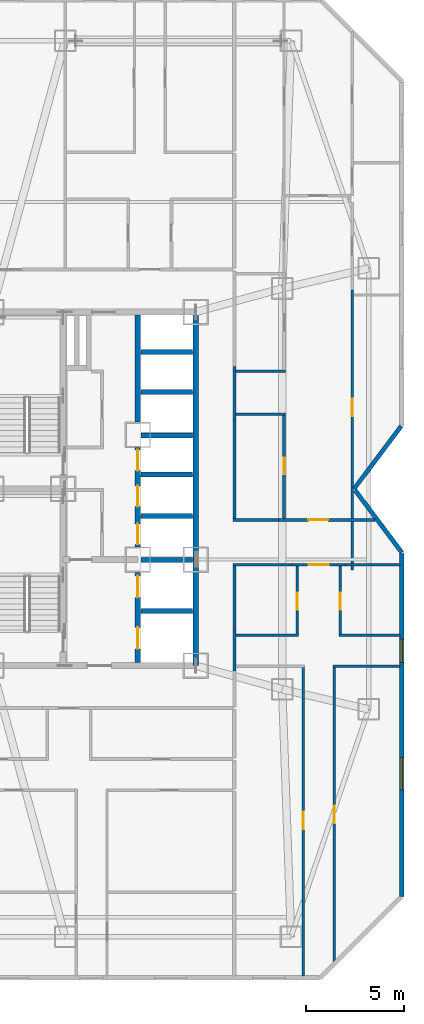
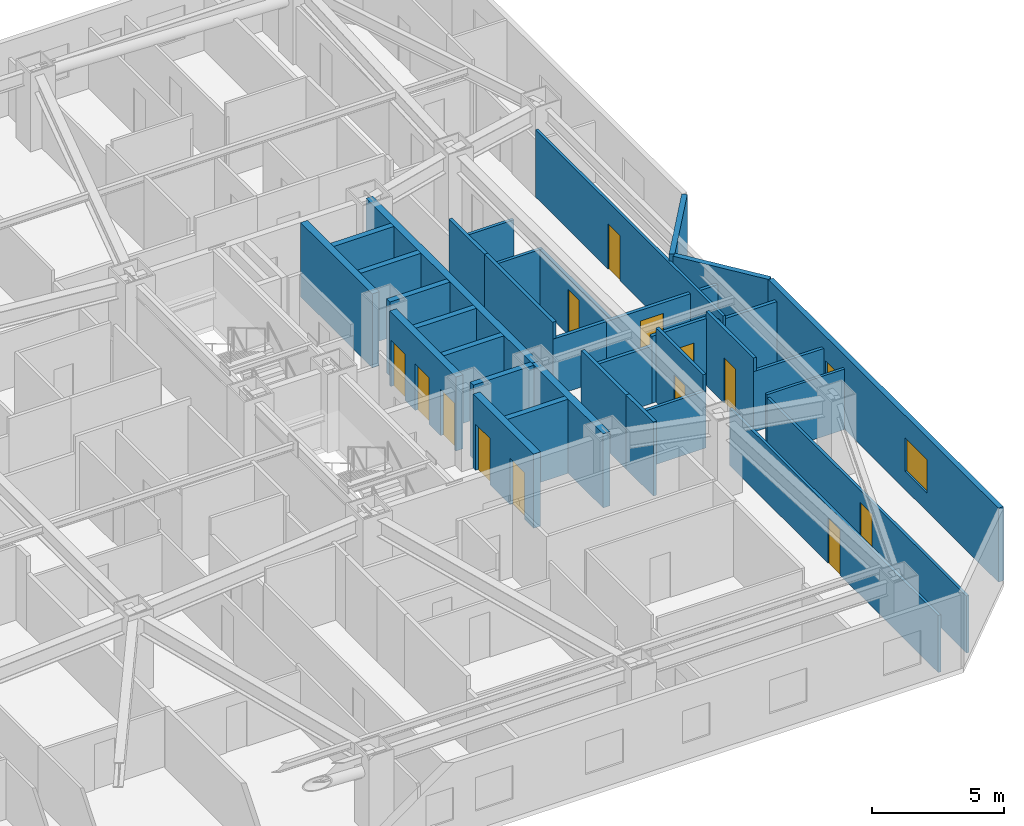
# One storey, part 14 of 18: 35 walls, 13 doors, 2 windows, 15 openings.
"""IFC4 building model written with IfcOpenShell, lengths in metres."""

from ifc_helpers import new_model, si_unit, direction, frame, frame_2d, origin, place, context, subcontext, project, spatial, rectangle, extrude, material, layer, layer_set, type_object, element, fill, save


model = new_model("IFC4")

# Units and contexts
model_context = context("Model", 3, precision=1e-05, world=origin(), true_north=direction((0.0, 1.0)))
body_context = subcontext(model_context, "Body", "Model", "MODEL_VIEW")
ifc_project = project(units=[si_unit("LENGTHUNIT", "METRE"), si_unit("AREAUNIT", "SQUARE_METRE"), si_unit("VOLUMEUNIT", "CUBIC_METRE"), si_unit("PLANEANGLEUNIT", "RADIAN"), si_unit("MASSUNIT", "GRAM", prefix="KILO")], contexts=[model_context])

# Site, building, storey
site_placement = place(None, origin())
site = spatial("IfcSite", under=ifc_project, at=site_placement, CompositionType="ELEMENT")
building_placement = place(site_placement, origin())
building = spatial("IfcBuilding", under=site, at=building_placement, Name="Khamvora Tower", CompositionType="ELEMENT")
storey_placement = place(building_placement, frame((0.0, 0.0, 69.800048828125)))
storey = spatial("IfcBuildingStorey", under=building, at=storey_placement, Name="L17", CompositionType="ELEMENT", Elevation=69.800048828125)

# Walls
ifc_material_1 = material(Name="Concrete C50/60", Category="concrete")
ifc_layer_1 = layer(ifc_material_1, 0.300048828125)
ifc_layer_set_1 = layer_set([ifc_layer_1], Name="Concrete C50/60")
wall_type_1 = type_object("IfcWallType", Name="WAL-CORE-300", PredefinedType="SHEAR", material=ifc_layer_set_1)
wall_1_placement = place(storey_placement, frame((39.39990234375, 19.0, 0.0), z_axis=(0.0, 0.0, 1.0), x_axis=(0.0, 1.0, 0.0)))
element("IfcWall", 1, at=wall_1_placement, inside=storey, type_object=wall_type_1, Name="L17 central core east south wall", PredefinedType="SHEAR", context=body_context, shape_type="SweptSolid", body=[
    extrude(rectangle(XDim=5.39990234375, YDim=0.300048828125, at=frame_2d((2.699951171875, 0.0))), origin(), (0.0, 0.0, 1.0), 3.429931640625),
])
wall_2_placement = place(storey_placement, frame((39.39990234375, 24.39990234375, 0.0), z_axis=(0.0, 0.0, 1.0), x_axis=(0.0, 1.0, 0.0)))
element("IfcWall", 2, at=wall_2_placement, inside=storey, type_object=wall_type_1, Name="L17 central core east north wall", PredefinedType="SHEAR", context=body_context, shape_type="SweptSolid", body=[
    extrude(rectangle(XDim=12.60009765625, YDim=0.300048828125, at=frame_2d((6.300048828125, 0.0))), origin(), (0.0, 0.0, 1.0), 3.429931640625),
])

# Wall, openings, doors
wall_3_placement = place(storey_placement, frame((36.449951171875, 19.154052734375, 0.0), z_axis=(0.0, 0.0, 1.0), x_axis=(0.0, 1.0, 0.0)))
wall_3 = element("IfcWall", 3, at=wall_3_placement, inside=storey, type_object=wall_type_1, Name="L17 central core lift bank south wall", PredefinedType="SHEAR", context=body_context, shape_type="SweptSolid", body=[
    extrude(rectangle(XDim=4.595947265625, YDim=0.300048828125, at=frame_2d((2.2978515625, 0.0))), origin(), (0.0, 0.0, 1.0), 3.429931640625),
])
opening_1_placement = place(wall_3_placement, frame((0.696044921875, 0.0, 0.0)))
opening_1 = element("IfcOpeningElement", 4, at=opening_1_placement, cuts=wall_3, Name="Opening LD-FFL", PredefinedType="OPENING", context=body_context, shape_type="SweptSolid", body=[
    extrude(rectangle(XDim=1.10009765625, YDim=2.14990234375, at=frame_2d((0.550048828125, 1.074951171875))), frame((0.0, 0.159912109375, 0.0), z_axis=(0.0, -1.0, 0.0), x_axis=(1.0, 0.0, 0.0)), (0.0, 0.0, 1.0), 0.320068359375),
])
opening_2_placement = place(wall_3_placement, frame((3.31591796875, 0.0, 0.0)))
opening_2 = element("IfcOpeningElement", 5, at=opening_2_placement, cuts=wall_3, Name="Opening LD-FFL", PredefinedType="OPENING", context=body_context, shape_type="SweptSolid", body=[
    extrude(rectangle(XDim=1.10009765625, YDim=2.14990234375, at=frame_2d((0.550048828125, 1.074951171875))), frame((0.0, 0.159912109375, 0.0), z_axis=(0.0, -1.0, 0.0), x_axis=(1.0, 0.0, 0.0)), (0.0, 0.0, 1.0), 0.320068359375),
])
ifc_material_2 = material(Name="Powder-Coated Steel and Hardwood Leaf", Category="steel")
door_type_1 = type_object("IfcDoorType", Name="DOR-LIFT-1100", OperationType="SLIDING_TO_LEFT", PredefinedType="DOOR", material=ifc_material_2)
door_1_placement = place(opening_1_placement, origin())
door_1 = element("IfcDoor", 6, at=door_1_placement, inside=storey, type_object=door_type_1, Name="L17 lift landing sliding door FFL-01", OperationType="SLIDING_TO_LEFT", OverallHeight=2.14990234375, OverallWidth=1.10009765625, PredefinedType="DOOR", context=body_context, shape_type="SweptSolid", body=[
    extrude(rectangle(XDim=1.10009765625, YDim=2.14990234375, at=frame_2d((0.550048828125, 1.074951171875))), frame((0.0, 0.02490234375, 0.0), z_axis=(0.0, -1.0, 0.0), x_axis=(1.0, 0.0, 0.0)), (0.0, 0.0, 1.0), 0.050048828125),
])
fill(opening_1, door_1)
door_2_placement = place(opening_2_placement, origin())
door_2 = element("IfcDoor", 7, at=door_2_placement, inside=storey, type_object=door_type_1, Name="L17 lift landing sliding door FFL-02", OperationType="SLIDING_TO_LEFT", OverallHeight=2.14990234375, OverallWidth=1.10009765625, PredefinedType="DOOR", context=body_context, shape_type="SweptSolid", body=[
    extrude(rectangle(XDim=1.10009765625, YDim=2.14990234375, at=frame_2d((0.550048828125, 1.074951171875))), frame((0.0, 0.02490234375, 0.0), z_axis=(0.0, -1.0, 0.0), x_axis=(1.0, 0.0, 0.0)), (0.0, 0.0, 1.0), 0.050048828125),
])
fill(opening_2, door_2)

wall_4_placement = place(storey_placement, frame((36.449951171875, 25.050048828125, 0.0), z_axis=(0.0, 0.0, 1.0), x_axis=(0.0, 1.0, 0.0)))
wall_4 = element("IfcWall", 8, at=wall_4_placement, inside=storey, type_object=wall_type_1, Name="L17 central core lift bank central wall", PredefinedType="SHEAR", context=body_context, shape_type="SweptSolid", body=[
    extrude(rectangle(XDim=5.050048828125, YDim=0.300048828125, at=frame_2d((2.52490234375, 0.0))), origin(), (0.0, 0.0, 1.0), 3.429931640625),
])
opening_3_placement = place(wall_4_placement, frame((0.1201171875, 0.0, 0.0)))
opening_3 = element("IfcOpeningElement", 9, at=opening_3_placement, cuts=wall_4, Name="Opening LD-PL", PredefinedType="OPENING", context=body_context, shape_type="SweptSolid", body=[
    extrude(rectangle(XDim=1.050048828125, YDim=2.14990234375, at=frame_2d((0.52490234375, 1.074951171875))), frame((0.0, 0.159912109375, 0.0), z_axis=(0.0, -1.0, 0.0), x_axis=(1.0, 0.0, 0.0)), (0.0, 0.0, 1.0), 0.320068359375),
])
opening_4_placement = place(wall_4_placement, frame((2.044921875, 0.0, 0.0)))
opening_4 = element("IfcOpeningElement", 10, at=opening_4_placement, cuts=wall_4, Name="Opening LD-PL", PredefinedType="OPENING", context=body_context, shape_type="SweptSolid", body=[
    extrude(rectangle(XDim=1.050048828125, YDim=2.14990234375, at=frame_2d((0.52490234375, 1.074951171875))), frame((0.0, 0.159912109375, 0.0), z_axis=(0.0, -1.0, 0.0), x_axis=(1.0, 0.0, 0.0)), (0.0, 0.0, 1.0), 0.320068359375),
])
opening_5_placement = place(wall_4_placement, frame((3.8798828125, 0.0, 0.0)))
opening_5 = element("IfcOpeningElement", 11, at=opening_5_placement, cuts=wall_4, Name="Opening LD-PL", PredefinedType="OPENING", context=body_context, shape_type="SweptSolid", body=[
    extrude(rectangle(XDim=1.050048828125, YDim=2.14990234375, at=frame_2d((0.52490234375, 1.074951171875))), frame((0.0, 0.159912109375, 0.0), z_axis=(0.0, -1.0, 0.0), x_axis=(1.0, 0.0, 0.0)), (0.0, 0.0, 1.0), 0.320068359375),
])
door_type_2 = type_object("IfcDoorType", Name="DOR-LIFT-1050", OperationType="SLIDING_TO_LEFT", PredefinedType="DOOR", material=ifc_material_2)
door_3_placement = place(opening_3_placement, origin())
door_3 = element("IfcDoor", 12, at=door_3_placement, inside=storey, type_object=door_type_2, Name="L17 lift landing sliding door PL-01", OperationType="SLIDING_TO_LEFT", OverallHeight=2.14990234375, OverallWidth=1.050048828125, PredefinedType="DOOR", context=body_context, shape_type="SweptSolid", body=[
    extrude(rectangle(XDim=1.050048828125, YDim=2.14990234375, at=frame_2d((0.52490234375, 1.074951171875))), frame((0.0, 0.02490234375, 0.0), z_axis=(0.0, -1.0, 0.0), x_axis=(1.0, 0.0, 0.0)), (0.0, 0.0, 1.0), 0.050048828125),
])
fill(opening_3, door_3)
door_4_placement = place(opening_4_placement, origin())
door_4 = element("IfcDoor", 13, at=door_4_placement, inside=storey, type_object=door_type_2, Name="L17 lift landing sliding door PL-02", OperationType="SLIDING_TO_LEFT", OverallHeight=2.14990234375, OverallWidth=1.050048828125, PredefinedType="DOOR", context=body_context, shape_type="SweptSolid", body=[
    extrude(rectangle(XDim=1.050048828125, YDim=2.14990234375, at=frame_2d((0.52490234375, 1.074951171875))), frame((0.0, 0.02490234375, 0.0), z_axis=(0.0, -1.0, 0.0), x_axis=(1.0, 0.0, 0.0)), (0.0, 0.0, 1.0), 0.050048828125),
])
fill(opening_4, door_4)
door_5_placement = place(opening_5_placement, origin())
door_5 = element("IfcDoor", 14, at=door_5_placement, inside=storey, type_object=door_type_2, Name="L17 lift landing sliding door PL-03", OperationType="SLIDING_TO_LEFT", OverallHeight=2.14990234375, OverallWidth=1.050048828125, PredefinedType="DOOR", context=body_context, shape_type="SweptSolid", body=[
    extrude(rectangle(XDim=1.050048828125, YDim=2.14990234375, at=frame_2d((0.52490234375, 1.074951171875))), frame((0.0, 0.02490234375, 0.0), z_axis=(0.0, -1.0, 0.0), x_axis=(1.0, 0.0, 0.0)), (0.0, 0.0, 1.0), 0.050048828125),
])
fill(opening_5, door_5)

# Wall
wall_5_placement = place(storey_placement, frame((36.449951171875, 31.39990234375, 0.0), z_axis=(0.0, 0.0, 1.0), x_axis=(0.0, 1.0, 0.0)))
element("IfcWall", 15, at=wall_5_placement, inside=storey, type_object=wall_type_1, Name="L17 central core lift bank north wall", PredefinedType="SHEAR", context=body_context, shape_type="SweptSolid", body=[
    extrude(rectangle(XDim=5.446044921875, YDim=0.300048828125, at=frame_2d((2.72314453125, 0.0))), origin(), (0.0, 0.0, 1.0), 3.429931640625),
])

# Wall, opening, door
ifc_material_3 = material(Name="Fire-Rated Drywall and Steel Stud", Category="steel")
ifc_layer_2 = layer(ifc_material_3, 0.14990234375)
ifc_layer_set_2 = layer_set([ifc_layer_2], Name="Fire-Rated Drywall and Steel Stud")
wall_type_2 = type_object("IfcWallType", Name="WAL-CORR-150", PredefinedType="STANDARD", material=ifc_layer_set_2)
wall_6_placement = place(storey_placement, frame((47.009033203125, 24.135009765625, 0.0), z_axis=(0.0, 0.0, 1.0), x_axis=(-1.0, 0.0, 0.0)))
wall_6 = element("IfcWall", 16, at=wall_6_placement, inside=storey, type_object=wall_type_2, Name="L17 interior partition wall 032", PredefinedType="STANDARD", context=body_context, shape_type="SweptSolid", body=[
    extrude(rectangle(XDim=2.697998046875, YDim=0.14990234375, at=frame_2d((1.34912109375, 0.0))), origin(), (0.0, 0.0, 1.0), 3.10693359375),
])
opening_6_placement = place(wall_6_placement, frame((0.84912109375, 0.0, 0.0)))
opening_6 = element("IfcOpeningElement", 17, at=opening_6_placement, cuts=wall_6, Name="Opening D-U1", PredefinedType="OPENING", context=body_context, shape_type="SweptSolid", body=[
    extrude(rectangle(XDim=1.0, YDim=2.14990234375, at=frame_2d((0.5, 1.074951171875))), frame((0.0, 0.0849609375, 0.0), z_axis=(0.0, -1.0, 0.0), x_axis=(1.0, 0.0, 0.0)), (0.0, 0.0, 1.0), 0.169921875),
])
door_type_3 = type_object("IfcDoorType", Name="DOR-UNIT-1000", OperationType="NOTDEFINED", PredefinedType="DOOR", material=ifc_material_2)
door_6_placement = place(opening_6_placement, origin())
door_6 = element("IfcDoor", 18, at=door_6_placement, inside=storey, type_object=door_type_3, Name="L17 interior door COR-17EAH", OperationType="SINGLE_SWING_LEFT", OverallHeight=2.14990234375, OverallWidth=1.0, PredefinedType="DOOR", context=body_context, shape_type="SweptSolid", body=[
    extrude(rectangle(XDim=1.0, YDim=2.14990234375, at=frame_2d((0.5, 1.074951171875))), frame((0.0, 0.02490234375, 0.0), z_axis=(0.0, -1.0, 0.0), x_axis=(1.0, 0.0, 0.0)), (0.0, 0.0, 1.0), 0.050048828125),
])
fill(opening_6, door_6)

# Walls
wall_7_placement = place(storey_placement, frame((41.364990234375, 20.803955078125, 0.0), z_axis=(0.0, 0.0, 1.0), x_axis=(0.0, -1.0, 0.0)))
element("IfcWall", 19, at=wall_7_placement, inside=storey, type_object=wall_type_2, Name="L17 interior partition wall 033", PredefinedType="STANDARD", context=body_context, shape_type="SweptSolid", body=[
    extrude(rectangle(XDim=2.077880859375, YDim=0.14990234375, at=frame_2d((1.0390625, 0.0))), origin(), (0.0, 0.0, 1.0), 3.429931640625),
])
wall_8_placement = place(storey_placement, frame((44.31103515625, 24.135009765625, 0.0), z_axis=(0.0, 0.0, 1.0), x_axis=(-1.0, 0.0, 0.0)))
element("IfcWall", 20, at=wall_8_placement, inside=storey, type_object=wall_type_2, Name="L17 interior partition wall 034", PredefinedType="STANDARD", context=body_context, shape_type="SweptSolid", body=[
    extrude(rectangle(XDim=3.010986328125, YDim=0.14990234375, at=frame_2d((1.50537109375, 0.0))), origin(), (0.0, 0.0, 1.0), 2.64697265625),
])
wall_9_placement = place(storey_placement, frame((41.364990234375, 24.197998046875, 0.0), z_axis=(0.0, 0.0, 1.0), x_axis=(0.0, -1.0, 0.0)))
element("IfcWall", 21, at=wall_9_placement, inside=storey, type_object=wall_type_2, Name="L17 interior partition wall 035", PredefinedType="STANDARD", context=body_context, shape_type="SweptSolid", body=[
    extrude(rectangle(XDim=3.39404296875, YDim=0.14990234375, at=frame_2d((1.697021484375, 0.0))), origin(), (0.0, 0.0, 1.0), 3.429931640625),
])
wall_10_placement = place(storey_placement, frame((49.7880859375, 24.135009765625, 0.0), z_axis=(0.0, 0.0, 1.0), x_axis=(-1.0, 0.0, 0.0)))
element("IfcWall", 22, at=wall_10_placement, inside=storey, type_object=wall_type_2, Name="L17 interior partition wall 036", PredefinedType="STANDARD", context=body_context, shape_type="SweptSolid", body=[
    extrude(rectangle(XDim=2.779052734375, YDim=0.14990234375, at=frame_2d((1.3896484375, 0.0))), origin(), (0.0, 0.0, 1.0), 2.802978515625),
])
wall_11_placement = place(storey_placement, frame((41.364990234375, 34.239990234375, 0.0), z_axis=(0.0, 0.0, 1.0), x_axis=(0.0, -1.0, 0.0)))
element("IfcWall", 23, at=wall_11_placement, inside=storey, type_object=wall_type_2, Name="L17 interior partition wall 039", PredefinedType="STANDARD", context=body_context, shape_type="SweptSolid", body=[
    extrude(rectangle(XDim=2.697998046875, YDim=0.14990234375, at=frame_2d((1.34912109375, 0.0))), origin(), (0.0, 0.0, 1.0), 3.429931640625),
])

# Wall, opening, door
wall_12_placement = place(storey_placement, frame((43.64599609375, 26.4150390625, 0.0), z_axis=(0.0, 0.0, 1.0), x_axis=(1.0, 0.0, 0.0)))
wall_12 = element("IfcWall", 24, at=wall_12_placement, inside=storey, type_object=wall_type_2, Name="L17 interior partition wall 040", PredefinedType="STANDARD", context=body_context, shape_type="SweptSolid", body=[
    extrude(rectangle(XDim=4.876953125, YDim=0.14990234375, at=frame_2d((2.4384765625, 0.0))), origin(), (0.0, 0.0, 1.0), 2.64697265625),
])
opening_7_placement = place(wall_12_placement, frame((1.489013671875, 0.0, 0.0)))
opening_7 = element("IfcOpeningElement", 25, at=opening_7_placement, cuts=wall_12, Name="Opening D-U1", PredefinedType="OPENING", context=body_context, shape_type="SweptSolid", body=[
    extrude(rectangle(XDim=1.0, YDim=2.14990234375, at=frame_2d((0.5, 1.074951171875))), frame((0.0, 0.0849609375, 0.0), z_axis=(0.0, -1.0, 0.0), x_axis=(1.0, 0.0, 0.0)), (0.0, 0.0, 1.0), 0.169921875),
])
door_7_placement = place(opening_7_placement, origin())
door_7 = element("IfcDoor", 26, at=door_7_placement, inside=storey, type_object=door_type_3, Name="L17 interior door COR-17EBH", OperationType="SINGLE_SWING_RIGHT", OverallHeight=2.14990234375, OverallWidth=1.0, PredefinedType="DOOR", context=body_context, shape_type="SweptSolid", body=[
    extrude(rectangle(XDim=1.0, YDim=2.14990234375, at=frame_2d((0.5, 1.074951171875))), frame((0.0, 0.02490234375, 0.0), z_axis=(0.0, -1.0, 0.0), x_axis=(1.0, 0.0, 0.0)), (0.0, 0.0, 1.0), 0.050048828125),
])
fill(opening_7, door_7)

# Walls
wall_13_placement = place(storey_placement, frame((41.364990234375, 31.5419921875, 0.0), z_axis=(0.0, 0.0, 1.0), x_axis=(0.0, -1.0, 0.0)))
element("IfcWall", 27, at=wall_13_placement, inside=storey, type_object=wall_type_2, Name="L17 interior partition wall 042", PredefinedType="STANDARD", context=body_context, shape_type="SweptSolid", body=[
    extrude(rectangle(XDim=5.19189453125, YDim=0.14990234375, at=frame_2d((2.595947265625, 0.0))), origin(), (0.0, 0.0, 1.0), 3.429931640625),
])
wall_14_placement = place(storey_placement, frame((41.300048828125, 26.4150390625, 0.0), z_axis=(0.0, 0.0, 1.0), x_axis=(1.0, 0.0, 0.0)))
element("IfcWall", 28, at=wall_14_placement, inside=storey, type_object=wall_type_2, Name="L17 interior partition wall 043", PredefinedType="STANDARD", context=body_context, shape_type="SweptSolid", body=[
    extrude(rectangle(XDim=2.345947265625, YDim=0.14990234375, at=frame_2d((1.1728515625, 0.0))), origin(), (0.0, 0.0, 1.0), 2.64697265625),
])
ifc_material_4 = material(Name="Precast concrete C40/50", Category="concrete")
ifc_layer_3 = layer(ifc_material_4, 0.219970703125)
ifc_layer_set_3 = layer_set([ifc_layer_3], Name="Precast concrete C40/50")
wall_type_3 = type_object("IfcWallType", Name="WAL-EXT-220", PredefinedType="STANDARD", material=ifc_layer_set_3)
wall_15_placement = place(storey_placement, frame((49.85595703125, 31.19091796875, 0.0), z_axis=(0.0, 0.0, 1.0), x_axis=(-0.600137081448, -0.799897170561, 0.0)))
element("IfcWall", 29, at=wall_15_placement, inside=storey, type_object=wall_type_3, Name="L17 exterior facade wall 10.1", PredefinedType="STANDARD", context=body_context, shape_type="SweptSolid", body=[
    extrude(rectangle(XDim=3.9892578125, YDim=0.219970703125, at=frame_2d((1.99462890625, 0.0))), origin(), (0.0, 0.0, 1.0), 3.429931640625),
])
wall_16_placement = place(storey_placement, frame((47.51904296875, 27.923095703125, 0.0), z_axis=(0.0, 0.0, 1.0), x_axis=(0.600118645218, -0.799911002338, 0.0)))
element("IfcWall", 30, at=wall_16_placement, inside=storey, type_object=wall_type_3, Name="L17 exterior facade wall 11.1", PredefinedType="STANDARD", context=body_context, shape_type="SweptSolid", body=[
    extrude(rectangle(XDim=3.95068359375, YDim=0.219970703125, at=frame_2d((1.975341796875, 0.0))), origin(), (0.0, 0.0, 1.0), 3.429931640625),
])

# Wall, openings, windows
wall_17_placement = place(storey_placement, frame((49.889892578125, 24.70703125, 0.0), z_axis=(0.0, 0.0, 1.0), x_axis=(0.0, -1.0, 0.0)))
wall_17 = element("IfcWall", 31, at=wall_17_placement, inside=storey, type_object=wall_type_3, Name="L17 exterior facade wall 12.1", PredefinedType="STANDARD", context=body_context, shape_type="SweptSolid", body=[
    extrude(rectangle(XDim=17.4609375, YDim=0.219970703125, at=frame_2d((8.73046875, 0.0))), origin(), (0.0, 0.0, 1.0), 3.429931640625),
])
opening_8_placement = place(wall_17_placement, frame((4.342041015625, 0.0, 0.800048828125)))
opening_8 = element("IfcOpeningElement", 32, at=opening_8_placement, cuts=wall_17, Name="Opening WN-03", PredefinedType="OPENING", context=body_context, shape_type="SweptSolid", body=[
    extrude(rectangle(XDim=1.199951171875, YDim=1.5, at=frame_2d((0.60009765625, 0.75))), frame((0.0, 0.119873046875, 0.0), z_axis=(0.0, -1.0, 0.0), x_axis=(1.0, 0.0, 0.0)), (0.0, 0.0, 1.0), 0.239990234375),
])
opening_9_placement = place(wall_17_placement, frame((10.37890625, 0.0, 0.85009765625)))
opening_9 = element("IfcOpeningElement", 33, at=opening_9_placement, cuts=wall_17, Name="Opening WN-06", PredefinedType="OPENING", context=body_context, shape_type="SweptSolid", body=[
    extrude(rectangle(XDim=1.64990234375, YDim=1.550048828125, at=frame_2d((0.824951171875, 0.77490234375))), frame((0.0, 0.119873046875, 0.0), z_axis=(0.0, -1.0, 0.0), x_axis=(1.0, 0.0, 0.0)), (0.0, 0.0, 1.0), 0.239990234375),
])
ifc_material_5 = material(Name="Low-E Laminated Double Glazing", Category="glass")
window_type_1 = type_object("IfcWindowType", Name="WIN-VIS-1200x1500", PartitioningType="SINGLE_PANEL", PredefinedType="WINDOW", material=ifc_material_5)
window_1_placement = place(opening_8_placement, origin())
window_1 = element("IfcWindow", 34, at=window_1_placement, inside=storey, type_object=window_type_1, Name="L17 vision window 12.1.01", OverallHeight=1.5, OverallWidth=1.199951171875, PartitioningType="SINGLE_PANEL", PredefinedType="WINDOW", context=body_context, shape_type="SweptSolid", body=[
    extrude(rectangle(XDim=1.199951171875, YDim=1.5, at=frame_2d((0.60009765625, 0.75))), frame((0.0, 0.030029296875, 0.0), z_axis=(0.0, -1.0, 0.0), x_axis=(1.0, 0.0, 0.0)), (0.0, 0.0, 1.0), 0.06005859375),
])
fill(opening_8, window_1)
window_type_2 = type_object("IfcWindowType", Name="WIN-VIS-1650x1550", PartitioningType="SINGLE_PANEL", PredefinedType="WINDOW", material=ifc_material_5)
window_2_placement = place(opening_9_placement, origin())
window_2 = element("IfcWindow", 35, at=window_2_placement, inside=storey, type_object=window_type_2, Name="L17 vision window 12.1.02", OverallHeight=1.550048828125, OverallWidth=1.64990234375, PartitioningType="SINGLE_PANEL", PredefinedType="WINDOW", context=body_context, shape_type="SweptSolid", body=[
    extrude(rectangle(XDim=1.64990234375, YDim=1.550048828125, at=frame_2d((0.824951171875, 0.77490234375))), frame((0.0, 0.030029296875, 0.0), z_axis=(0.0, -1.0, 0.0), x_axis=(1.0, 0.0, 0.0)), (0.0, 0.0, 1.0), 0.06005859375),
])
fill(opening_9, window_2)

# Wall, opening, door
ifc_material_6 = material(Name="Gypsum Plasterboard Partition", Category="gypsum")
ifc_layer_4 = layer(ifc_material_6, 0.1201171875)
ifc_layer_set_4 = layer_set([ifc_layer_4], Name="Gypsum Plasterboard Partition")
wall_type_4 = type_object("IfcWallType", Name="WAL-PART-120", PredefinedType="PARTITIONING", material=ifc_layer_set_4)
wall_18_placement = place(storey_placement, frame((44.875, 3.2119140625, 0.0), z_axis=(0.0, 0.0, 1.0), x_axis=(0.0, 1.0, 0.0)))
wall_18 = element("IfcWall", 36, at=wall_18_placement, inside=storey, type_object=wall_type_4, Name="L17 interior partition wall 141", PredefinedType="PARTITIONING", context=body_context, shape_type="SweptSolid", body=[
    extrude(rectangle(XDim=15.828125, YDim=0.1201171875, at=frame_2d((7.9140625, 0.0))), origin(), (0.0, 0.0, 1.0), 2.64697265625),
])
opening_10_placement = place(wall_18_placement, frame((7.464111328125, 0.0, 0.0)))
opening_10 = element("IfcOpeningElement", 37, at=opening_10_placement, cuts=wall_18, Name="Opening D-RM1", PredefinedType="OPENING", context=body_context, shape_type="SweptSolid", body=[
    extrude(rectangle(XDim=0.89990234375, YDim=2.10009765625, at=frame_2d((0.449951171875, 1.050048828125))), frame((0.0, 0.070068359375, 0.0), z_axis=(0.0, -1.0, 0.0), x_axis=(1.0, 0.0, 0.0)), (0.0, 0.0, 1.0), 0.14013671875),
])
door_type_4 = type_object("IfcDoorType", Name="DOR-ROOM-900", OperationType="NOTDEFINED", PredefinedType="DOOR", material=ifc_material_2)
door_8_placement = place(opening_10_placement, origin())
door_8 = element("IfcDoor", 38, at=door_8_placement, inside=storey, type_object=door_type_4, Name="L17 interior door 17EAH-17EAR1", OperationType="SINGLE_SWING_RIGHT", OverallHeight=2.10009765625, OverallWidth=0.89990234375, PredefinedType="DOOR", context=body_context, shape_type="SweptSolid", body=[
    extrude(rectangle(XDim=0.89990234375, YDim=2.10009765625, at=frame_2d((0.449951171875, 1.050048828125))), frame((0.0, 0.02490234375, 0.0), z_axis=(0.0, -1.0, 0.0), x_axis=(1.0, 0.0, 0.0)), (0.0, 0.0, 1.0), 0.050048828125),
])
fill(opening_10, door_8)

# Wall
wall_19_placement = place(storey_placement, frame((49.7880859375, 18.97509765625, 0.0), z_axis=(0.0, 0.0, 1.0), x_axis=(-1.0, 0.0, 0.0)))
element("IfcWall", 39, at=wall_19_placement, inside=storey, type_object=wall_type_4, Name="L17 interior partition wall 143", PredefinedType="PARTITIONING", context=body_context, shape_type="SweptSolid", body=[
    extrude(rectangle(XDim=3.408203125, YDim=0.1201171875, at=frame_2d((1.7041015625, 0.0))), origin(), (0.0, 0.0, 1.0), 2.802978515625),
])

# Wall, opening, door
wall_20_placement = place(storey_placement, frame((46.445068359375, 19.0400390625, 0.0), z_axis=(0.0, 0.0, 1.0), x_axis=(0.0, -1.0, 0.0)))
wall_20 = element("IfcWall", 40, at=wall_20_placement, inside=storey, type_object=wall_type_4, Name="L17 interior partition wall 144", PredefinedType="PARTITIONING", context=body_context, shape_type="SweptSolid", body=[
    extrude(rectangle(XDim=15.248046875, YDim=0.1201171875, at=frame_2d((7.6240234375, 0.0))), origin(), (0.0, 0.0, 1.0), 2.64697265625),
])
opening_11_placement = place(wall_20_placement, frame((7.174072265625, 0.0, 0.0)))
opening_11 = element("IfcOpeningElement", 41, at=opening_11_placement, cuts=wall_20, Name="Opening D-RM1", PredefinedType="OPENING", context=body_context, shape_type="SweptSolid", body=[
    extrude(rectangle(XDim=0.89990234375, YDim=2.10009765625, at=frame_2d((0.449951171875, 1.050048828125))), frame((0.0, 0.070068359375, 0.0), z_axis=(0.0, -1.0, 0.0), x_axis=(1.0, 0.0, 0.0)), (0.0, 0.0, 1.0), 0.14013671875),
])
door_9_placement = place(opening_11_placement, origin())
door_9 = element("IfcDoor", 42, at=door_9_placement, inside=storey, type_object=door_type_4, Name="L17 interior door 17EAH-17EAR2", OperationType="SINGLE_SWING_LEFT", OverallHeight=2.10009765625, OverallWidth=0.89990234375, PredefinedType="DOOR", context=body_context, shape_type="SweptSolid", body=[
    extrude(rectangle(XDim=0.89990234375, YDim=2.10009765625, at=frame_2d((0.449951171875, 1.050048828125))), frame((0.0, 0.02490234375, 0.0), z_axis=(0.0, -1.0, 0.0), x_axis=(1.0, 0.0, 0.0)), (0.0, 0.0, 1.0), 0.050048828125),
])
fill(opening_11, door_9)

wall_21_placement = place(storey_placement, frame((47.375, 38.114990234375, 0.0), z_axis=(0.0, 0.0, 1.0), x_axis=(0.0, -1.0, 0.0)))
wall_21 = element("IfcWall", 43, at=wall_21_placement, inside=storey, type_object=wall_type_4, Name="L17 interior partition wall 154", PredefinedType="PARTITIONING", context=body_context, shape_type="SweptSolid", body=[
    extrude(rectangle(XDim=14.235107421875, YDim=0.1201171875, at=frame_2d((7.11767578125, 0.0))), origin(), (0.0, 0.0, 1.0), 3.10693359375),
])
opening_12_placement = place(wall_21_placement, frame((5.52392578125, 0.0, 0.0)))
opening_12 = element("IfcOpeningElement", 44, at=opening_12_placement, cuts=wall_21, Name="Opening D-RM1", PredefinedType="OPENING", context=body_context, shape_type="SweptSolid", body=[
    extrude(rectangle(XDim=0.89990234375, YDim=2.10009765625, at=frame_2d((0.449951171875, 1.050048828125))), frame((0.0, 0.070068359375, 0.0), z_axis=(0.0, -1.0, 0.0), x_axis=(1.0, 0.0, 0.0)), (0.0, 0.0, 1.0), 0.14013671875),
])
door_10_placement = place(opening_12_placement, origin())
door_10 = element("IfcDoor", 45, at=door_10_placement, inside=storey, type_object=door_type_4, Name="L17 interior door 17EBH-17EBL", OperationType="SINGLE_SWING_LEFT", OverallHeight=2.10009765625, OverallWidth=0.89990234375, PredefinedType="DOOR", context=body_context, shape_type="SweptSolid", body=[
    extrude(rectangle(XDim=0.89990234375, YDim=2.10009765625, at=frame_2d((0.449951171875, 1.050048828125))), frame((0.0, 0.02490234375, 0.0), z_axis=(0.0, -1.0, 0.0), x_axis=(1.0, 0.0, 0.0)), (0.0, 0.0, 1.0), 0.050048828125),
])
fill(opening_12, door_10)

# Walls
ifc_material_7 = material(Name="Concrete C40/50", Category="concrete")
ifc_layer_5 = layer(ifc_material_7, 0.25)
ifc_layer_set_5 = layer_set([ifc_layer_5], Name="Concrete C40/50")
wall_type_5 = type_object("IfcWallType", Name="WAL-PODS-250", PredefinedType="SHEAR", material=ifc_layer_set_5)
for number, where, z_axis, x_axis, name in (
    (46, (36.60400390625, 21.77490234375, 0.0), (0.0, 0.0, 1.0), (1.0, 0.0, 0.0), "L17 lift shaft divider wall FFL-01"),
    (47, (36.60400390625, 24.375, 0.0), (0.0, 0.0, 1.0), (1.0, 0.0, 0.0), "L17 lift shaft divider wall FFL-02"),
    (48, (36.60400390625, 26.625, 0.0), (0.0, 0.0, 1.0), (1.0, 0.0, 0.0), "L17 lift shaft divider wall PL-01"),
    (49, (36.60400390625, 28.72509765625, 0.0), (0.0, 0.0, 1.0), (1.0, 0.0, 0.0), "L17 lift shaft divider wall PL-02"),
    (50, (36.60400390625, 30.72509765625, 0.0), (0.0, 0.0, 1.0), (1.0, 0.0, 0.0), "L17 lift shaft divider wall PL-03"),
    (51, (36.60400390625, 32.925048828125, 0.0), (0.0, 0.0, 1.0), (1.0, 0.0, 0.0), "L17 lift shaft divider wall PH-01"),
    (52, (36.60400390625, 34.97509765625, 0.0), (0.0, 0.0, 1.0), (1.0, 0.0, 0.0), "L17 lift shaft divider wall PH-02"),
):
    element("IfcWall", number, at=place(storey_placement, frame(where, z_axis=z_axis, x_axis=x_axis)), inside=storey, type_object=wall_type_5, Name=name, PredefinedType="SHEAR", context=body_context, shape_type="SweptSolid", body=[
        extrude(rectangle(XDim=2.64208984375, YDim=0.25, at=frame_2d((1.321044921875, 0.0))), origin(), (0.0, 0.0, 1.0), 3.429931640625),
    ])
ifc_material_8 = material(Name="Moisture-Resistant Plasterboard Partition", Category="gypsum")
ifc_layer_6 = layer(ifc_material_8, 0.135009765625)
ifc_layer_set_6 = layer_set([ifc_layer_6], Name="Moisture-Resistant Plasterboard Partition")
wall_type_6 = type_object("IfcWallType", Name="WAL-WET-135", PredefinedType="PARTITIONING", material=ifc_layer_set_6)
wall_22_placement = place(storey_placement, frame((41.431884765625, 20.554931640625, 0.0), z_axis=(0.0, 0.0, 1.0), x_axis=(1.0, 0.0, 0.0)))
element("IfcWall", 53, at=wall_22_placement, inside=storey, type_object=wall_type_6, Name="L17 interior partition wall 137", PredefinedType="PARTITIONING", context=body_context, shape_type="SweptSolid", body=[
    extrude(rectangle(XDim=3.193115234375, YDim=0.135009765625, at=frame_2d((1.5966796875, 0.0))), origin(), (0.0, 0.0, 1.0), 2.64697265625),
])

# Wall, opening, door
wall_23_placement = place(storey_placement, frame((44.56005859375, 20.489990234375, 0.0), z_axis=(0.0, 0.0, 1.0), x_axis=(0.0, 1.0, 0.0)))
wall_23 = element("IfcWall", 54, at=wall_23_placement, inside=storey, type_object=wall_type_6, Name="L17 interior partition wall 138", PredefinedType="PARTITIONING", context=body_context, shape_type="SweptSolid", body=[
    extrude(rectangle(XDim=3.580078125, YDim=0.135009765625, at=frame_2d((1.7900390625, 0.0))), origin(), (0.0, 0.0, 1.0), 3.429931640625),
])
opening_13_placement = place(wall_23_placement, frame((1.364990234375, 0.0, 0.0)))
opening_13 = element("IfcOpeningElement", 55, at=opening_13_placement, cuts=wall_23, Name="Opening D-WC1", PredefinedType="OPENING", context=body_context, shape_type="SweptSolid", body=[
    extrude(rectangle(XDim=0.85009765625, YDim=2.10009765625, at=frame_2d((0.425048828125, 1.050048828125))), frame((0.0, 0.077392578125, 0.0), z_axis=(0.0, -1.0, 0.0), x_axis=(1.0, 0.0, 0.0)), (0.0, 0.0, 1.0), 0.155029296875),
])
door_type_5 = type_object("IfcDoorType", Name="DOR-WET-850", OperationType="NOTDEFINED", PredefinedType="DOOR", material=ifc_material_2)
door_11_placement = place(opening_13_placement, origin())
door_11 = element("IfcDoor", 56, at=door_11_placement, inside=storey, type_object=door_type_5, Name="L17 interior door 17EAH-17EAB", OperationType="SINGLE_SWING_RIGHT", OverallHeight=2.10009765625, OverallWidth=0.85009765625, PredefinedType="DOOR", context=body_context, shape_type="SweptSolid", body=[
    extrude(rectangle(XDim=0.85009765625, YDim=2.10009765625, at=frame_2d((0.425048828125, 1.050048828125))), frame((0.0, 0.02490234375, 0.0), z_axis=(0.0, -1.0, 0.0), x_axis=(1.0, 0.0, 0.0)), (0.0, 0.0, 1.0), 0.050048828125),
])
fill(opening_13, door_11)

wall_24_placement = place(storey_placement, frame((46.760009765625, 24.070068359375, 0.0), z_axis=(0.0, 0.0, 1.0), x_axis=(0.0, -1.0, 0.0)))
wall_24 = element("IfcWall", 57, at=wall_24_placement, inside=storey, type_object=wall_type_6, Name="L17 interior partition wall 139", PredefinedType="PARTITIONING", context=body_context, shape_type="SweptSolid", body=[
    extrude(rectangle(XDim=3.580078125, YDim=0.135009765625, at=frame_2d((1.7900390625, 0.0))), origin(), (0.0, 0.0, 1.0), 3.429931640625),
])
opening_14_placement = place(wall_24_placement, frame((1.364990234375, 0.0, 0.0)))
opening_14 = element("IfcOpeningElement", 58, at=opening_14_placement, cuts=wall_24, Name="Opening D-RM2", PredefinedType="OPENING", context=body_context, shape_type="SweptSolid", body=[
    extrude(rectangle(XDim=0.85009765625, YDim=2.10009765625, at=frame_2d((0.425048828125, 1.050048828125))), frame((0.0, 0.077392578125, 0.0), z_axis=(0.0, -1.0, 0.0), x_axis=(1.0, 0.0, 0.0)), (0.0, 0.0, 1.0), 0.155029296875),
])
door_type_6 = type_object("IfcDoorType", Name="DOR-ROOM-850", OperationType="NOTDEFINED", PredefinedType="DOOR", material=ifc_material_2)
door_12_placement = place(opening_14_placement, origin())
door_12 = element("IfcDoor", 59, at=door_12_placement, inside=storey, type_object=door_type_6, Name="L17 interior door 17EAH-17EAK", OperationType="SINGLE_SWING_LEFT", OverallHeight=2.10009765625, OverallWidth=0.85009765625, PredefinedType="DOOR", context=body_context, shape_type="SweptSolid", body=[
    extrude(rectangle(XDim=0.85009765625, YDim=2.10009765625, at=frame_2d((0.425048828125, 1.050048828125))), frame((0.0, 0.02490234375, 0.0), z_axis=(0.0, -1.0, 0.0), x_axis=(1.0, 0.0, 0.0)), (0.0, 0.0, 1.0), 0.050048828125),
])
fill(opening_14, door_12)

# Walls
wall_25_placement = place(storey_placement, frame((46.695068359375, 20.554931640625, 0.0), z_axis=(0.0, 0.0, 1.0), x_axis=(1.0, 0.0, 0.0)))
element("IfcWall", 60, at=wall_25_placement, inside=storey, type_object=wall_type_6, Name="L17 interior partition wall 140", PredefinedType="PARTITIONING", context=body_context, shape_type="SweptSolid", body=[
    extrude(rectangle(XDim=3.093017578125, YDim=0.135009765625, at=frame_2d((1.54638671875, 0.0))), origin(), (0.0, 0.0, 1.0), 2.802978515625),
])
wall_26_placement = place(storey_placement, frame((41.431884765625, 33.990966796875, 0.0), z_axis=(0.0, 0.0, 1.0), x_axis=(1.0, 0.0, 0.0)))
element("IfcWall", 61, at=wall_26_placement, inside=storey, type_object=wall_type_6, Name="L17 interior partition wall 150", PredefinedType="PARTITIONING", context=body_context, shape_type="SweptSolid", body=[
    extrude(rectangle(XDim=2.528076171875, YDim=0.135009765625, at=frame_2d((1.26416015625, 0.0))), origin(), (0.0, 0.0, 1.0), 2.64697265625),
])

# Wall, opening, door
wall_27_placement = place(storey_placement, frame((43.89501953125, 26.47998046875, 0.0), z_axis=(0.0, 0.0, 1.0), x_axis=(0.0, 1.0, 0.0)))
wall_27 = element("IfcWall", 62, at=wall_27_placement, inside=storey, type_object=wall_type_6, Name="L17 interior partition wall 152", PredefinedType="PARTITIONING", context=body_context, shape_type="SweptSolid", body=[
    extrude(rectangle(XDim=5.3759765625, YDim=0.135009765625, at=frame_2d((2.68798828125, 0.0))), origin(), (0.0, 0.0, 1.0), 2.64697265625),
])
opening_15_placement = place(wall_27_placement, frame((2.262939453125, 0.0, 0.0)))
opening_15 = element("IfcOpeningElement", 63, at=opening_15_placement, cuts=wall_27, Name="Opening D-RM2", PredefinedType="OPENING", context=body_context, shape_type="SweptSolid", body=[
    extrude(rectangle(XDim=0.85009765625, YDim=2.10009765625, at=frame_2d((0.425048828125, 1.050048828125))), frame((0.0, 0.077392578125, 0.0), z_axis=(0.0, -1.0, 0.0), x_axis=(1.0, 0.0, 0.0)), (0.0, 0.0, 1.0), 0.155029296875),
])
door_13_placement = place(opening_15_placement, origin())
door_13 = element("IfcDoor", 64, at=door_13_placement, inside=storey, type_object=door_type_6, Name="L17 interior door 17EBH-17EBK", OperationType="SINGLE_SWING_RIGHT", OverallHeight=2.10009765625, OverallWidth=0.85009765625, PredefinedType="DOOR", context=body_context, shape_type="SweptSolid", body=[
    extrude(rectangle(XDim=0.85009765625, YDim=2.10009765625, at=frame_2d((0.425048828125, 1.050048828125))), frame((0.0, 0.02490234375, 0.0), z_axis=(0.0, -1.0, 0.0), x_axis=(1.0, 0.0, 0.0)), (0.0, 0.0, 1.0), 0.050048828125),
])
fill(opening_15, door_13)

# Wall
wall_28_placement = place(storey_placement, frame((43.9599609375, 31.791015625, 0.0), z_axis=(0.0, 0.0, 1.0), x_axis=(-1.0, 0.0, 0.0)))
element("IfcWall", 65, at=wall_28_placement, inside=storey, type_object=wall_type_6, Name="L17 interior partition wall 153", PredefinedType="PARTITIONING", context=body_context, shape_type="SweptSolid", body=[
    extrude(rectangle(XDim=2.528076171875, YDim=0.135009765625, at=frame_2d((1.26416015625, 0.0))), origin(), (0.0, 0.0, 1.0), 2.64697265625),
])

save(model, "model.ifc")
